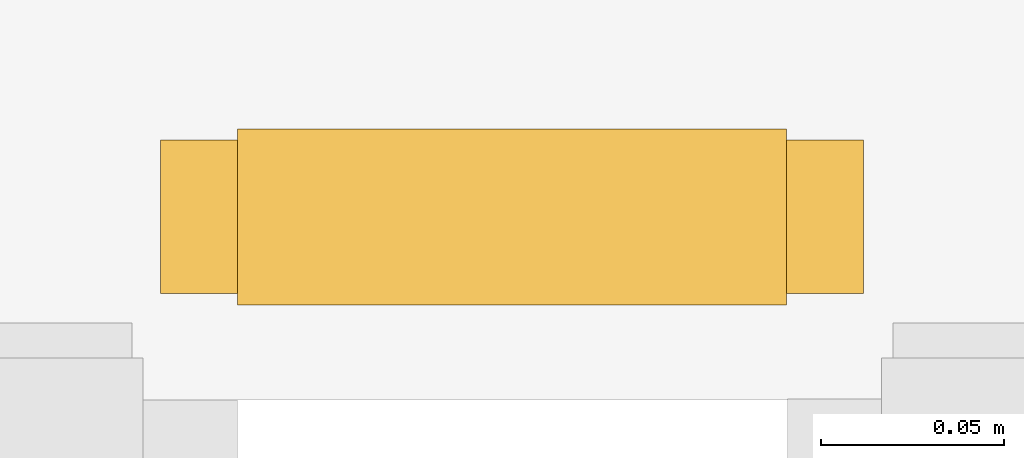
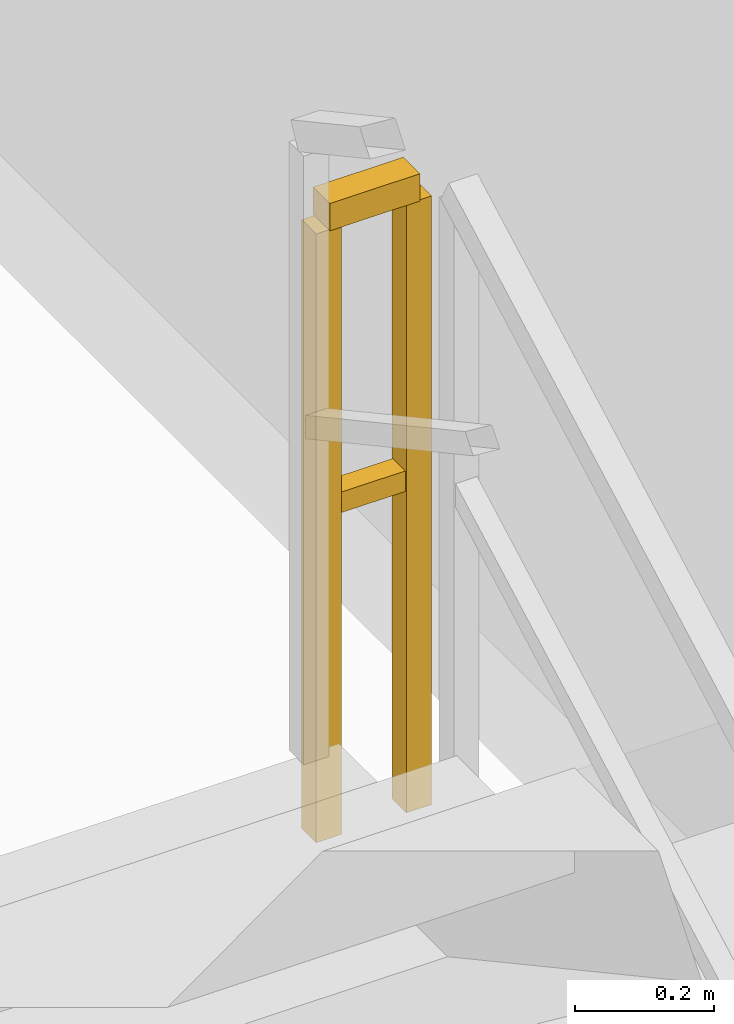
# One storey, part 23 of 25: 1 railing.
"""IFC4 building model written with IfcOpenShell, lengths in metres."""

from ifc_helpers import new_model, si_unit, direction, frame, origin, origin_2d, place, context, subcontext, project, spatial, rectangle, extrude, material, type_object, element, save


model = new_model("IFC4")

# Units and contexts
model_context = context("Model", 3, precision=1e-05, world=origin(), true_north=direction((0.0, 1.0)))
body_context = subcontext(model_context, "Body", "Model", "MODEL_VIEW")
ifc_project = project(units=[si_unit("LENGTHUNIT", "METRE"), si_unit("AREAUNIT", "SQUARE_METRE"), si_unit("VOLUMEUNIT", "CUBIC_METRE"), si_unit("PLANEANGLEUNIT", "RADIAN"), si_unit("MASSUNIT", "GRAM", prefix="KILO")], contexts=[model_context])

# Site, building, storey
site_placement = place(None, origin())
site = spatial("IfcSite", under=ifc_project, at=site_placement, CompositionType="ELEMENT")
building_placement = place(site_placement, origin())
building = spatial("IfcBuilding", under=site, at=building_placement, Name="Zuhayl Quay Hotel", CompositionType="ELEMENT")
storey_placement = place(building_placement, frame((0.0, 0.0, 243.35009765625)))
storey = spatial("IfcBuildingStorey", under=building, at=storey_placement, Name="L61", CompositionType="ELEMENT", Elevation=243.35009765625)

# Railing
ifc_material = material(Name="Steel ASTM A992 Grade 50", Category="steel")
railing_type = type_object("IfcRailingType", Name="RL_GUARD_1100", PredefinedType="GUARDRAIL", material=ifc_material)
railing_placement = place(storey_placement, frame((13.7900390625, 9.699951171875, 1.849853515625)))
element("IfcRailing", 1, at=railing_placement, inside=storey, type_object=railing_type, Name="L61 ST2 stair guard 2", PredefinedType="GUARDRAIL", context=body_context, shape_type="SweptSolid", body=[
    extrude(rectangle(XDim=0.048095703125, YDim=0.048095703125, at=origin_2d()), frame((0.0, 0.0, 1.09619140625), z_axis=(-1.0, 0.0, 0.0), x_axis=(0.0, -1.0, 0.0)), (0.0, 0.0, 1.0), 0.150146484375),
    extrude(rectangle(XDim=0.0361328125, YDim=0.0361328125, at=origin_2d()), frame((0.0, 0.0, 0.58251953125), z_axis=(-1.0, 0.0, 0.0), x_axis=(0.0, -1.0, 0.0)), (0.0, 0.0, 1.0), 0.150146484375),
    extrude(rectangle(XDim=0.0419921875, YDim=0.0419921875, at=origin_2d()), origin(), (0.0, 0.0, 1.0), 1.072021484375),
    extrude(rectangle(XDim=0.0419921875, YDim=0.0419921875, at=origin_2d()), frame((-0.150146484375, 0.0, 0.0)), (0.0, 0.0, 1.0), 1.072021484375),
])

save(model, "model.ifc")
